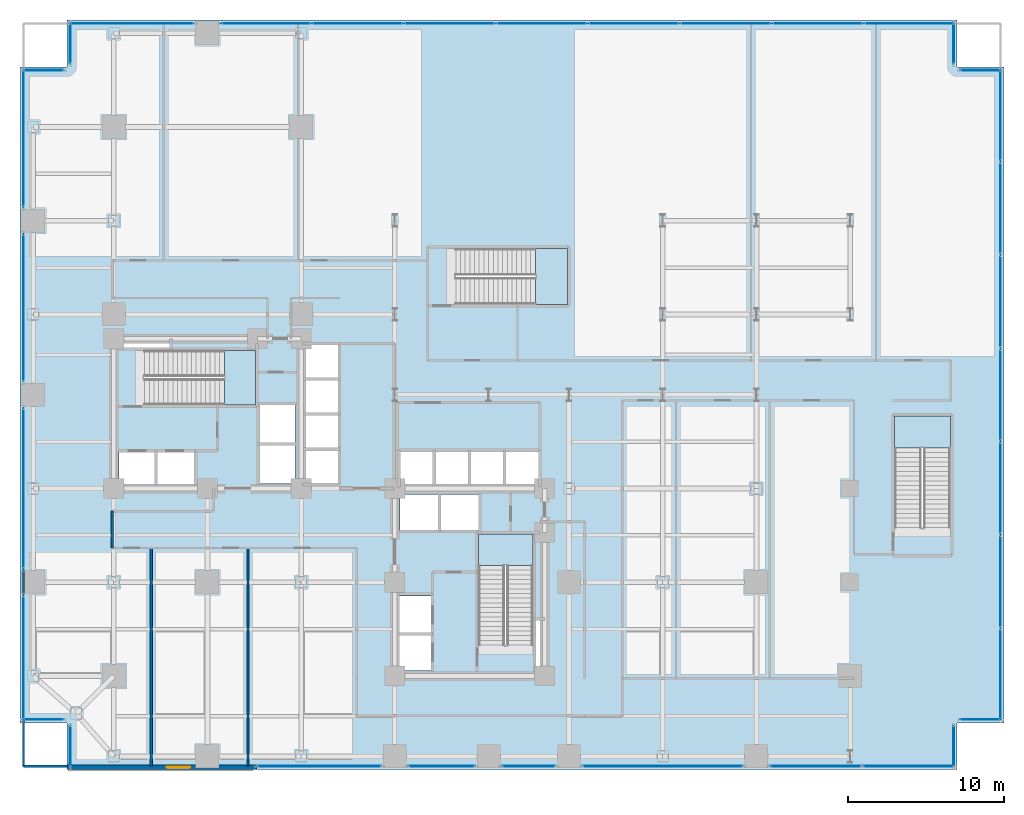
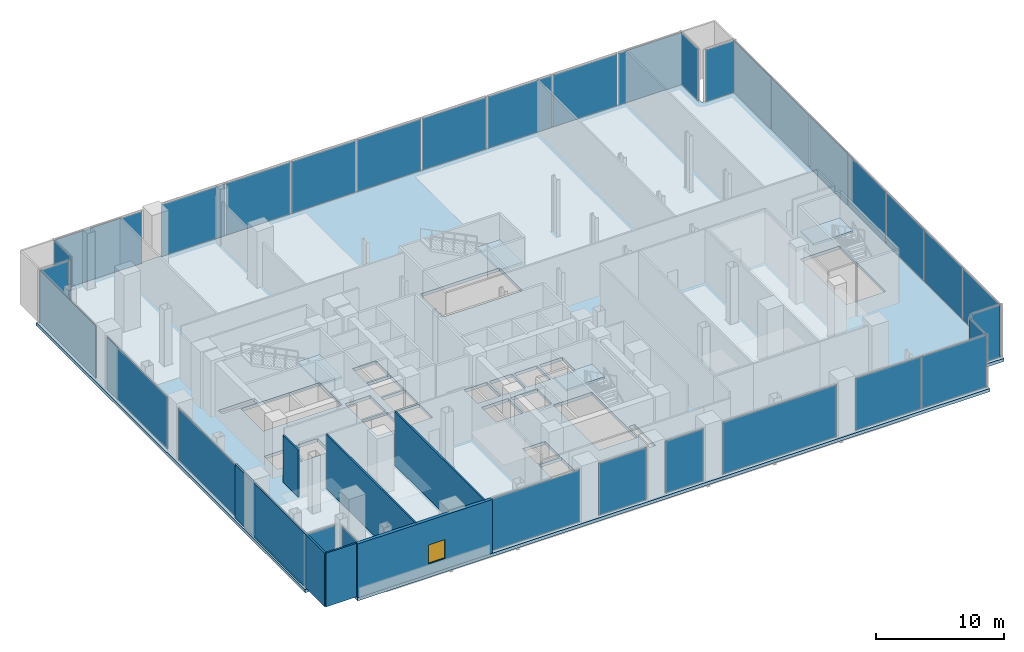
# One storey, part 20 of 27: 34 plates, 6 walls, 5 slabs, 1 window, 1 opening, 24 elements without a shape of their own.
"""IFC4 building model written with IfcOpenShell, lengths in metres."""

from ifc_helpers import new_model, si_unit, direction, frame, frame_2d, origin, origin_2d, place, context, subcontext, project, spatial, polyline, rectangle, outline, extrude, material, layer, layer_set, type_object, element, fill, aggregate, save


model = new_model("IFC4")

# Units and contexts
model_context = context("Model", 3, precision=1e-05, world=origin(), true_north=direction((0.0, 1.0)))
body_context = subcontext(model_context, "Body", "Model", "MODEL_VIEW")
ifc_project = project(units=[si_unit("LENGTHUNIT", "METRE"), si_unit("AREAUNIT", "SQUARE_METRE"), si_unit("VOLUMEUNIT", "CUBIC_METRE"), si_unit("PLANEANGLEUNIT", "RADIAN"), si_unit("MASSUNIT", "GRAM", prefix="KILO"), si_unit("THERMODYNAMICTEMPERATUREUNIT", "KELVIN"), si_unit("POWERUNIT", "WATT")], contexts=[model_context])

# Site, building, storey
site_placement = place(None, origin())
site = spatial("IfcSite", under=ifc_project, at=site_placement, CompositionType="ELEMENT")
building_placement = place(site_placement, origin())
building = spatial("IfcBuilding", under=site, at=building_placement, Name="Svarakhadi Broadcast Tower", CompositionType="ELEMENT")
storey_placement = place(building_placement, frame((0.0, 0.0, 16.5)))
storey = spatial("IfcBuildingStorey", under=building, at=storey_placement, Name="L03", CompositionType="ELEMENT", Elevation=16.5)

# Curtain wall, plate
ifc_material_1 = material(Name="Anodised Bronze Aluminium AA 6063-T6", Category="aluminium")
ifc_layer_1 = layer(ifc_material_1, 0.25)
ifc_layer_set_1 = layer_set([ifc_layer_1], Name="Anodised Bronze Aluminium AA 6063-T6")
curtain_wall_type = type_object("IfcCurtainWallType", Name="CW_Sys_01", PredefinedType="NOTDEFINED", material=ifc_layer_set_1)
curtain_wall_1_placement = place(storey_placement, origin())
curtain_wall_1 = element("IfcCurtainWall", 1, at=curtain_wall_1_placement, inside=storey, type_object=curtain_wall_type, Name="L03 Unitised Facade Curtain Wall 01", PredefinedType="NOTDEFINED")
ifc_material_2 = material(Name="Double Low-E Laminated Acoustic Glass IGU 36 mm", Category="glass")
ifc_layer_2 = layer(ifc_material_2, 0.0380859375)
ifc_layer_set_2 = layer_set([ifc_layer_2], Name="Double Low-E Laminated Acoustic Glass IGU 36 mm")
plate_type = type_object("IfcPlateType", Name="CW_Sys_01_Pnl", PredefinedType="CURTAIN_PANEL", material=ifc_layer_set_2)
plate_1_placement = place(storey_placement, frame((1.5, 3.219970703125, 0.0849609375), z_axis=(0.0, 0.0, 1.0), x_axis=(-1.0, 0.0, 0.0)))
plate_1 = element("IfcPlate", 2, at=plate_1_placement, type_object=plate_type, Name="CW-01 panel 1.1", PredefinedType="CURTAIN_PANEL", context=body_context, shape_type="SweptSolid", body=[
    extrude(rectangle(XDim=2.6298828125, YDim=0.0380859375, at=origin_2d()), origin(), (0.0, 0.0, 1.0), 4.955078125),
])
aggregate(curtain_wall_1, [plate_1])

curtain_wall_2_placement = place(storey_placement, origin())
curtain_wall_2 = element("IfcCurtainWall", 3, at=curtain_wall_2_placement, inside=storey, type_object=curtain_wall_type, Name="L03 Unitised Facade Curtain Wall 02 Bay 1", PredefinedType="NOTDEFINED")
plate_2_placement = place(storey_placement, frame((0.219970703125, 7.159912109375, 0.0849609375), z_axis=(0.0, 0.0, 1.0), x_axis=(0.0, 1.0, 0.0)))
plate_2 = element("IfcPlate", 4, at=plate_2_placement, type_object=plate_type, Name="CW-01 panel 1.1", PredefinedType="CURTAIN_PANEL", context=body_context, shape_type="SweptSolid", body=[
    extrude(rectangle(XDim=7.949951171875, YDim=0.0380859375, at=origin_2d()), origin(), (0.0, 0.0, 1.0), 4.955078125),
])
aggregate(curtain_wall_2, [plate_2])

curtain_wall_3_placement = place(storey_placement, origin())
curtain_wall_3 = element("IfcCurtainWall", 5, at=curtain_wall_3_placement, inside=storey, type_object=curtain_wall_type, Name="L03 Unitised Facade Curtain Wall 02 Bay 2", PredefinedType="NOTDEFINED")
plate_3_placement = place(storey_placement, frame((0.219970703125, 18.0, 0.0849609375), z_axis=(0.0, 0.0, 1.0), x_axis=(0.0, 1.0, 0.0)))
plate_3 = element("IfcPlate", 6, at=plate_3_placement, type_object=plate_type, Name="CW-01 panel 1.1", PredefinedType="CURTAIN_PANEL", context=body_context, shape_type="SweptSolid", body=[
    extrude(rectangle(XDim=10.27001953125, YDim=0.0380859375, at=origin_2d()), origin(), (0.0, 0.0, 1.0), 4.955078125),
])
aggregate(curtain_wall_3, [plate_3])

curtain_wall_4_placement = place(storey_placement, origin())
curtain_wall_4 = element("IfcCurtainWall", 7, at=curtain_wall_4_placement, inside=storey, type_object=curtain_wall_type, Name="L03 Unitised Facade Curtain Wall 02 Bay 3", PredefinedType="NOTDEFINED")
plate_4_placement = place(storey_placement, frame((0.219970703125, 29.574951171875, 0.0849609375), z_axis=(0.0, 0.0, 1.0), x_axis=(0.0, 1.0, 0.0)))
plate_4 = element("IfcPlate", 8, at=plate_4_placement, type_object=plate_type, Name="CW-01 panel 1.1", PredefinedType="CURTAIN_PANEL", context=body_context, shape_type="SweptSolid", body=[
    extrude(rectangle(XDim=9.419921875, YDim=0.0380859375, at=origin_2d()), origin(), (0.0, 0.0, 1.0), 4.955078125),
])
aggregate(curtain_wall_4, [plate_4])

curtain_wall_5_placement = place(storey_placement, origin())
curtain_wall_5 = element("IfcCurtainWall", 9, at=curtain_wall_5_placement, inside=storey, type_object=curtain_wall_type, Name="L03 Unitised Facade Curtain Wall 02 Bay 4", PredefinedType="NOTDEFINED")
plate_5_placement = place(storey_placement, frame((0.219970703125, 40.4150390625, 0.0849609375), z_axis=(0.0, 0.0, 1.0), x_axis=(0.0, 1.0, 0.0)))
plate_5 = element("IfcPlate", 10, at=plate_5_placement, type_object=plate_type, Name="CW-01 panel 1.1", PredefinedType="CURTAIN_PANEL", context=body_context, shape_type="SweptSolid", body=[
    extrude(rectangle(XDim=8.800048828125, YDim=0.0380859375, at=origin_2d()), origin(), (0.0, 0.0, 1.0), 4.955078125),
])
aggregate(curtain_wall_5, [plate_5])

curtain_wall_6_placement = place(storey_placement, origin())
curtain_wall_6 = element("IfcCurtainWall", 11, at=curtain_wall_6_placement, inside=storey, type_object=curtain_wall_type, Name="L03 Unitised Facade Curtain Wall 03", PredefinedType="NOTDEFINED")
plate_6_placement = place(storey_placement, frame((1.5, 44.780029296875, 0.0849609375), z_axis=(0.0, 0.0, 1.0), x_axis=(1.0, 0.0, 0.0)))
plate_6 = element("IfcPlate", 12, at=plate_6_placement, type_object=plate_type, Name="CW-01 panel 1.1", PredefinedType="CURTAIN_PANEL", context=body_context, shape_type="SweptSolid", body=[
    extrude(rectangle(XDim=2.6298828125, YDim=0.0380859375, at=origin_2d()), origin(), (0.0, 0.0, 1.0), 4.955078125),
])
aggregate(curtain_wall_6, [plate_6])

curtain_wall_7_placement = place(storey_placement, origin())
curtain_wall_7 = element("IfcCurtainWall", 13, at=curtain_wall_7_placement, inside=storey, type_object=curtain_wall_type, Name="L03 Unitised Facade Curtain Wall 04", PredefinedType="NOTDEFINED")
plate_7_placement = place(storey_placement, frame((3.219970703125, 46.5, 0.0849609375), z_axis=(0.0, 0.0, 1.0), x_axis=(0.0, 1.0, 0.0)))
plate_7 = element("IfcPlate", 14, at=plate_7_placement, type_object=plate_type, Name="CW-01 panel 1.1", PredefinedType="CURTAIN_PANEL", context=body_context, shape_type="SweptSolid", body=[
    extrude(rectangle(XDim=2.6298828125, YDim=0.0380859375, at=origin_2d()), origin(), (0.0, 0.0, 1.0), 4.955078125),
])
aggregate(curtain_wall_7, [plate_7])

curtain_wall_8_placement = place(storey_placement, origin())
curtain_wall_8 = element("IfcCurtainWall", 15, at=curtain_wall_8_placement, inside=storey, type_object=curtain_wall_type, Name="L03 Unitised Facade Curtain Wall 05 Bay 1", PredefinedType="NOTDEFINED")
plate_8_placement = place(storey_placement, frame((7.159912109375, 47.780029296875, 0.0849609375), z_axis=(0.0, 0.0, 1.0), x_axis=(1.0, 0.0, 0.0)))
plate_8 = element("IfcPlate", 16, at=plate_8_placement, type_object=plate_type, Name="CW-01 panel 1.1", PredefinedType="CURTAIN_PANEL", context=body_context, shape_type="SweptSolid", body=[
    extrude(rectangle(XDim=7.949951171875, YDim=0.0380859375, at=origin_2d()), origin(), (0.0, 0.0, 1.0), 4.955078125),
])
aggregate(curtain_wall_8, [plate_8])

# Curtain wall, plates
curtain_wall_9_placement = place(storey_placement, origin())
curtain_wall_9 = element("IfcCurtainWall", 17, at=curtain_wall_9_placement, inside=storey, type_object=curtain_wall_type, Name="L03 Unitised Facade Curtain Wall 05 Bay 2", PredefinedType="NOTDEFINED")
plate_9_placement = place(storey_placement, frame((15.739990234375, 47.780029296875, 0.0849609375), z_axis=(0.0, 0.0, 1.0), x_axis=(1.0, 0.0, 0.0)))
plate_9 = element("IfcPlate", 18, at=plate_9_placement, type_object=plate_type, Name="CW-01 panel 1.1", PredefinedType="CURTAIN_PANEL", context=body_context, shape_type="SweptSolid", body=[
    extrude(rectangle(XDim=5.75, YDim=0.0380859375, at=origin_2d()), origin(), (0.0, 0.0, 1.0), 4.955078125),
])
plate_10_placement = place(storey_placement, frame((21.608642578125, 47.780029296875, 0.0849609375), z_axis=(0.0, 0.0, 1.0), x_axis=(1.0, 0.0, 0.0)))
plate_10 = element("IfcPlate", 19, at=plate_10_placement, type_object=plate_type, Name="CW-01 panel 2.1", PredefinedType="CURTAIN_PANEL", context=body_context, shape_type="SweptSolid", body=[
    extrude(rectangle(XDim=5.797607421875, YDim=0.0380859375, at=origin_2d()), origin(), (0.0, 0.0, 1.0), 4.955078125),
])
plate_11_placement = place(storey_placement, frame((27.501220703125, 47.780029296875, 0.0849609375), z_axis=(0.0, 0.0, 1.0), x_axis=(1.0, 0.0, 0.0)))
plate_11 = element("IfcPlate", 20, at=plate_11_placement, type_object=plate_type, Name="CW-01 panel 3.1", PredefinedType="CURTAIN_PANEL", context=body_context, shape_type="SweptSolid", body=[
    extrude(rectangle(XDim=5.797607421875, YDim=0.0380859375, at=origin_2d()), origin(), (0.0, 0.0, 1.0), 4.955078125),
])
plate_12_placement = place(storey_placement, frame((33.393798828125, 47.780029296875, 0.0849609375), z_axis=(0.0, 0.0, 1.0), x_axis=(1.0, 0.0, 0.0)))
plate_12 = element("IfcPlate", 21, at=plate_12_placement, type_object=plate_type, Name="CW-01 panel 4.1", PredefinedType="CURTAIN_PANEL", context=body_context, shape_type="SweptSolid", body=[
    extrude(rectangle(XDim=5.797607421875, YDim=0.0380859375, at=origin_2d()), origin(), (0.0, 0.0, 1.0), 4.955078125),
])
plate_13_placement = place(storey_placement, frame((39.2861328125, 47.780029296875, 0.0849609375), z_axis=(0.0, 0.0, 1.0), x_axis=(1.0, 0.0, 0.0)))
plate_13 = element("IfcPlate", 22, at=plate_13_placement, type_object=plate_type, Name="CW-01 panel 5.1", PredefinedType="CURTAIN_PANEL", context=body_context, shape_type="SweptSolid", body=[
    extrude(rectangle(XDim=5.797607421875, YDim=0.0380859375, at=origin_2d()), origin(), (0.0, 0.0, 1.0), 4.955078125),
])
plate_14_placement = place(storey_placement, frame((45.1787109375, 47.780029296875, 0.0849609375), z_axis=(0.0, 0.0, 1.0), x_axis=(1.0, 0.0, 0.0)))
plate_14 = element("IfcPlate", 23, at=plate_14_placement, type_object=plate_type, Name="CW-01 panel 6.1", PredefinedType="CURTAIN_PANEL", context=body_context, shape_type="SweptSolid", body=[
    extrude(rectangle(XDim=5.797607421875, YDim=0.0380859375, at=origin_2d()), origin(), (0.0, 0.0, 1.0), 4.955078125),
])
plate_15_placement = place(storey_placement, frame((51.0712890625, 47.780029296875, 0.0849609375), z_axis=(0.0, 0.0, 1.0), x_axis=(1.0, 0.0, 0.0)))
plate_15 = element("IfcPlate", 24, at=plate_15_placement, type_object=plate_type, Name="CW-01 panel 7.1", PredefinedType="CURTAIN_PANEL", context=body_context, shape_type="SweptSolid", body=[
    extrude(rectangle(XDim=5.797607421875, YDim=0.0380859375, at=origin_2d()), origin(), (0.0, 0.0, 1.0), 4.955078125),
])
plate_16_placement = place(storey_placement, frame((56.93994140625, 47.780029296875, 0.0849609375), z_axis=(0.0, 0.0, 1.0), x_axis=(1.0, 0.0, 0.0)))
plate_16 = element("IfcPlate", 25, at=plate_16_placement, type_object=plate_type, Name="CW-01 panel 8.1", PredefinedType="CURTAIN_PANEL", context=body_context, shape_type="SweptSolid", body=[
    extrude(rectangle(XDim=5.75, YDim=0.0380859375, at=origin_2d()), origin(), (0.0, 0.0, 1.0), 4.955078125),
])
aggregate(curtain_wall_9, [plate_9, plate_10, plate_11, plate_12, plate_13, plate_14, plate_15, plate_16])

# Curtain wall, plate
curtain_wall_10_placement = place(storey_placement, origin())
curtain_wall_10 = element("IfcCurtainWall", 26, at=curtain_wall_10_placement, inside=storey, type_object=curtain_wall_type, Name="L03 Unitised Facade Curtain Wall 06", PredefinedType="NOTDEFINED")
plate_17_placement = place(storey_placement, frame((59.780029296875, 46.5, 0.0849609375), z_axis=(0.0, 0.0, 1.0), x_axis=(0.0, -1.0, 0.0)))
plate_17 = element("IfcPlate", 27, at=plate_17_placement, type_object=plate_type, Name="CW-01 panel 1.1", PredefinedType="CURTAIN_PANEL", context=body_context, shape_type="SweptSolid", body=[
    extrude(rectangle(XDim=2.6298828125, YDim=0.0380859375, at=origin_2d()), origin(), (0.0, 0.0, 1.0), 4.955078125),
])
aggregate(curtain_wall_10, [plate_17])

curtain_wall_11_placement = place(storey_placement, origin())
curtain_wall_11 = element("IfcCurtainWall", 28, at=curtain_wall_11_placement, inside=storey, type_object=curtain_wall_type, Name="L03 Unitised Facade Curtain Wall 07", PredefinedType="NOTDEFINED")
plate_18_placement = place(storey_placement, frame((61.5, 44.780029296875, 0.0849609375), z_axis=(0.0, 0.0, 1.0), x_axis=(1.0, 0.0, 0.0)))
plate_18 = element("IfcPlate", 29, at=plate_18_placement, type_object=plate_type, Name="CW-01 panel 1.1", PredefinedType="CURTAIN_PANEL", context=body_context, shape_type="SweptSolid", body=[
    extrude(rectangle(XDim=2.6298828125, YDim=0.0380859375, at=origin_2d()), origin(), (0.0, 0.0, 1.0), 4.955078125),
])
aggregate(curtain_wall_11, [plate_18])

# Curtain wall, plates
curtain_wall_12_placement = place(storey_placement, origin())
curtain_wall_12 = element("IfcCurtainWall", 30, at=curtain_wall_12_placement, inside=storey, type_object=curtain_wall_type, Name="L03 Unitised Facade Curtain Wall 08", PredefinedType="NOTDEFINED")
plate_19_placement = place(storey_placement, frame((62.780029296875, 41.899169921875, 0.0849609375), z_axis=(0.0, 0.0, 1.0), x_axis=(0.0, -1.0, 0.0)))
plate_19 = element("IfcPlate", 31, at=plate_19_placement, type_object=plate_type, Name="CW-01 panel 1.1", PredefinedType="CURTAIN_PANEL", context=body_context, shape_type="SweptSolid", body=[
    extrude(rectangle(XDim=5.831787109375, YDim=0.0380859375, at=origin_2d()), origin(), (0.0, 0.0, 1.0), 4.955078125),
])
plate_20_placement = place(storey_placement, frame((62.780029296875, 35.948486328125, 0.0849609375), z_axis=(0.0, 0.0, 1.0), x_axis=(0.0, -1.0, 0.0)))
plate_20 = element("IfcPlate", 32, at=plate_20_placement, type_object=plate_type, Name="CW-01 panel 2.1", PredefinedType="CURTAIN_PANEL", context=body_context, shape_type="SweptSolid", body=[
    extrude(rectangle(XDim=5.87939453125, YDim=0.0380859375, at=origin_2d()), origin(), (0.0, 0.0, 1.0), 4.955078125),
])
plate_21_placement = place(storey_placement, frame((62.780029296875, 29.974365234375, 0.0849609375), z_axis=(0.0, 0.0, 1.0), x_axis=(0.0, -1.0, 0.0)))
plate_21 = element("IfcPlate", 33, at=plate_21_placement, type_object=plate_type, Name="CW-01 panel 3.1", PredefinedType="CURTAIN_PANEL", context=body_context, shape_type="SweptSolid", body=[
    extrude(rectangle(XDim=5.87939453125, YDim=0.0380859375, at=origin_2d()), origin(), (0.0, 0.0, 1.0), 4.955078125),
])
plate_22_placement = place(storey_placement, frame((62.780029296875, 24.0, 0.0849609375), z_axis=(0.0, 0.0, 1.0), x_axis=(0.0, -1.0, 0.0)))
plate_22 = element("IfcPlate", 34, at=plate_22_placement, type_object=plate_type, Name="CW-01 panel 4.1", PredefinedType="CURTAIN_PANEL", context=body_context, shape_type="SweptSolid", body=[
    extrude(rectangle(XDim=5.87939453125, YDim=0.0380859375, at=origin_2d()), origin(), (0.0, 0.0, 1.0), 4.955078125),
])
plate_23_placement = place(storey_placement, frame((62.780029296875, 18.025634765625, 0.0849609375), z_axis=(0.0, 0.0, 1.0), x_axis=(0.0, -1.0, 0.0)))
plate_23 = element("IfcPlate", 35, at=plate_23_placement, type_object=plate_type, Name="CW-01 panel 5.1", PredefinedType="CURTAIN_PANEL", context=body_context, shape_type="SweptSolid", body=[
    extrude(rectangle(XDim=5.87939453125, YDim=0.0380859375, at=origin_2d()), origin(), (0.0, 0.0, 1.0), 4.955078125),
])
plate_24_placement = place(storey_placement, frame((62.780029296875, 12.051513671875, 0.0849609375), z_axis=(0.0, 0.0, 1.0), x_axis=(0.0, -1.0, 0.0)))
plate_24 = element("IfcPlate", 36, at=plate_24_placement, type_object=plate_type, Name="CW-01 panel 6.1", PredefinedType="CURTAIN_PANEL", context=body_context, shape_type="SweptSolid", body=[
    extrude(rectangle(XDim=5.87939453125, YDim=0.0380859375, at=origin_2d()), origin(), (0.0, 0.0, 1.0), 4.955078125),
])
plate_25_placement = place(storey_placement, frame((62.780029296875, 6.100830078125, 0.0849609375), z_axis=(0.0, 0.0, 1.0), x_axis=(0.0, -1.0, 0.0)))
plate_25 = element("IfcPlate", 37, at=plate_25_placement, type_object=plate_type, Name="CW-01 panel 7.1", PredefinedType="CURTAIN_PANEL", context=body_context, shape_type="SweptSolid", body=[
    extrude(rectangle(XDim=5.831787109375, YDim=0.0380859375, at=origin_2d()), origin(), (0.0, 0.0, 1.0), 4.955078125),
])
aggregate(curtain_wall_12, [plate_19, plate_20, plate_21, plate_22, plate_23, plate_24, plate_25])

# Curtain wall, plate
curtain_wall_13_placement = place(storey_placement, origin())
curtain_wall_13 = element("IfcCurtainWall", 38, at=curtain_wall_13_placement, inside=storey, type_object=curtain_wall_type, Name="L03 Unitised Facade Curtain Wall 09", PredefinedType="NOTDEFINED")
plate_26_placement = place(storey_placement, frame((61.5, 3.219970703125, 0.0849609375), z_axis=(0.0, 0.0, 1.0), x_axis=(-1.0, 0.0, 0.0)))
plate_26 = element("IfcPlate", 39, at=plate_26_placement, type_object=plate_type, Name="CW-01 panel 1.1", PredefinedType="CURTAIN_PANEL", context=body_context, shape_type="SweptSolid", body=[
    extrude(rectangle(XDim=2.6298828125, YDim=0.0380859375, at=origin_2d()), origin(), (0.0, 0.0, 1.0), 4.955078125),
])
aggregate(curtain_wall_13, [plate_26])

curtain_wall_14_placement = place(storey_placement, origin())
curtain_wall_14 = element("IfcCurtainWall", 40, at=curtain_wall_14_placement, inside=storey, type_object=curtain_wall_type, Name="L03 Unitised Facade Curtain Wall 10", PredefinedType="NOTDEFINED")
plate_27_placement = place(storey_placement, frame((59.780029296875, 1.5, 0.0849609375), z_axis=(0.0, 0.0, 1.0), x_axis=(0.0, -1.0, 0.0)))
plate_27 = element("IfcPlate", 41, at=plate_27_placement, type_object=plate_type, Name="CW-01 panel 1.1", PredefinedType="CURTAIN_PANEL", context=body_context, shape_type="SweptSolid", body=[
    extrude(rectangle(XDim=2.6298828125, YDim=0.0380859375, at=origin_2d()), origin(), (0.0, 0.0, 1.0), 4.955078125),
])
aggregate(curtain_wall_14, [plate_27])

# Curtain wall, plates
curtain_wall_15_placement = place(storey_placement, origin())
curtain_wall_15 = element("IfcCurtainWall", 42, at=curtain_wall_15_placement, inside=storey, type_object=curtain_wall_type, Name="L03 South Curtain Wall 11 Bay 1", PredefinedType="NOTDEFINED")
plate_28_placement = place(storey_placement, frame((56.888671875, 0.219970703125, 0.0849609375), z_axis=(0.0, 0.0, 1.0), x_axis=(-1.0, 0.0, 0.0)))
plate_28 = element("IfcPlate", 43, at=plate_28_placement, type_object=plate_type, Name="CW-01 panel 1.1", PredefinedType="CURTAIN_PANEL", context=body_context, shape_type="SweptSolid", body=[
    extrude(rectangle(XDim=5.8525390625, YDim=0.0380859375, at=origin_2d()), origin(), (0.0, 0.0, 1.0), 4.955078125),
])
plate_29_placement = place(storey_placement, frame((50.941162109375, 0.219970703125, 0.0849609375), z_axis=(0.0, 0.0, 1.0), x_axis=(-1.0, 0.0, 0.0)))
plate_29 = element("IfcPlate", 44, at=plate_29_placement, type_object=plate_type, Name="CW-01 panel 2.1", PredefinedType="CURTAIN_PANEL", context=body_context, shape_type="SweptSolid", body=[
    extrude(rectangle(XDim=5.8525390625, YDim=0.0380859375, at=origin_2d()), origin(), (0.0, 0.0, 1.0), 4.955078125),
])
aggregate(curtain_wall_15, [plate_28, plate_29])

# Curtain wall, plate
curtain_wall_16_placement = place(storey_placement, origin())
curtain_wall_16 = element("IfcCurtainWall", 45, at=curtain_wall_16_placement, inside=storey, type_object=curtain_wall_type, Name="L03 South Curtain Wall 11 Bay 2", PredefinedType="NOTDEFINED")
plate_30_placement = place(storey_placement, frame((41.14990234375, 0.219970703125, 0.0849609375), z_axis=(0.0, 0.0, 1.0), x_axis=(-1.0, 0.0, 0.0)))
plate_30 = element("IfcPlate", 46, at=plate_30_placement, type_object=plate_type, Name="CW-01 panel 1.1", PredefinedType="CURTAIN_PANEL", context=body_context, shape_type="SweptSolid", body=[
    extrude(rectangle(XDim=10.27001953125, YDim=0.0380859375, at=origin_2d()), origin(), (0.0, 0.0, 1.0), 4.955078125),
])
aggregate(curtain_wall_16, [plate_30])

curtain_wall_17_placement = place(storey_placement, origin())
curtain_wall_17 = element("IfcCurtainWall", 47, at=curtain_wall_17_placement, inside=storey, type_object=curtain_wall_type, Name="L03 South Curtain Wall 11 Bay 3", PredefinedType="NOTDEFINED")
plate_31_placement = place(storey_placement, frame((32.574951171875, 0.219970703125, 0.0849609375), z_axis=(0.0, 0.0, 1.0), x_axis=(-1.0, 0.0, 0.0)))
plate_31 = element("IfcPlate", 48, at=plate_31_placement, type_object=plate_type, Name="CW-01 panel 1.1", PredefinedType="CURTAIN_PANEL", context=body_context, shape_type="SweptSolid", body=[
    extrude(rectangle(XDim=3.419921875, YDim=0.0380859375, at=origin_2d()), origin(), (0.0, 0.0, 1.0), 4.955078125),
])
aggregate(curtain_wall_17, [plate_31])

curtain_wall_18_placement = place(storey_placement, origin())
curtain_wall_18 = element("IfcCurtainWall", 49, at=curtain_wall_18_placement, inside=storey, type_object=curtain_wall_type, Name="L03 South Curtain Wall 11 Bay 4", PredefinedType="NOTDEFINED")
plate_32_placement = place(storey_placement, frame((27.0, 0.219970703125, 0.0849609375), z_axis=(0.0, 0.0, 1.0), x_axis=(-1.0, 0.0, 0.0)))
plate_32 = element("IfcPlate", 50, at=plate_32_placement, type_object=plate_type, Name="CW-01 panel 1.1", PredefinedType="CURTAIN_PANEL", context=body_context, shape_type="SweptSolid", body=[
    extrude(rectangle(XDim=4.27001953125, YDim=0.0380859375, at=origin_2d()), origin(), (0.0, 0.0, 1.0), 4.955078125),
])
aggregate(curtain_wall_18, [plate_32])

curtain_wall_19_placement = place(storey_placement, origin())
curtain_wall_19 = element("IfcCurtainWall", 51, at=curtain_wall_19_placement, inside=storey, type_object=curtain_wall_type, Name="L03 South Curtain Wall 11 Bay 5", PredefinedType="NOTDEFINED")
plate_33_placement = place(storey_placement, frame((19.159912109375, 0.219970703125, 0.0849609375), z_axis=(0.0, 0.0, 1.0), x_axis=(-1.0, 0.0, 0.0)))
plate_33 = element("IfcPlate", 52, at=plate_33_placement, type_object=plate_type, Name="CW-01 panel 1.1", PredefinedType="CURTAIN_PANEL", context=body_context, shape_type="SweptSolid", body=[
    extrude(rectangle(XDim=7.949951171875, YDim=0.0380859375, at=origin_2d()), origin(), (0.0, 0.0, 1.0), 4.955078125),
])
aggregate(curtain_wall_19, [plate_33])

curtain_wall_20_placement = place(storey_placement, origin())
curtain_wall_20 = element("IfcCurtainWall", 53, at=curtain_wall_20_placement, inside=storey, type_object=curtain_wall_type, Name="L03 Unitised Facade Curtain Wall 12", PredefinedType="NOTDEFINED")
plate_34_placement = place(storey_placement, frame((3.219970703125, 1.5, 0.0849609375), z_axis=(0.0, 0.0, 1.0), x_axis=(0.0, 1.0, 0.0)))
plate_34 = element("IfcPlate", 54, at=plate_34_placement, type_object=plate_type, Name="CW-01 panel 1.1", PredefinedType="CURTAIN_PANEL", context=body_context, shape_type="SweptSolid", body=[
    extrude(rectangle(XDim=2.6298828125, YDim=0.0380859375, at=origin_2d()), origin(), (0.0, 0.0, 1.0), 4.955078125),
])
aggregate(curtain_wall_20, [plate_34])

# Slab
ifc_material_3 = material(Name="Concrete C40/50 (IS 456 M50)", Category="concrete")
ifc_layer_3 = layer(ifc_material_3, 0.300048828125)
ifc_layer_set_3 = layer_set([ifc_layer_3], Name="Concrete C40/50 (IS 456 M50)")
slab_type_1 = type_object("IfcSlabType", Name="Slab_Floor_300", PredefinedType="FLOOR", material=ifc_layer_set_3)
slab_1_placement = place(storey_placement, frame((0.0, 0.0, -0.300048828125)))
element("IfcSlab", 55, at=slab_1_placement, inside=storey, type_object=slab_type_1, Name="L03 Structural Floor Slab", PredefinedType="FLOOR", context=body_context, shape_type="SweptSolid", body=[
    extrude(outline(polyline([(3.0, 0.0), (60.0, 0.0), (60.0, 3.0), (63.0, 3.0), (63.0, 45.0), (60.0, 45.0), (60.0, 48.0), (3.0, 48.0), (3.0, 45.0), (0.0, 45.0), (0.0, 3.0), (3.0, 3.0), (3.0, 0.0)]), holes=[polyline([(7.97998046875, 23.360107421875), (15.080078125, 23.360107421875), (15.080078125, 26.840087890625), (7.97998046875, 26.840087890625), (7.97998046875, 23.360107421875)]), polyline([(32.840087890625, 7.97998046875), (32.840087890625, 15.080078125), (29.360107421875, 15.080078125), (29.360107421875, 7.97998046875), (32.840087890625, 7.97998046875)]), polyline([(27.89990234375, 29.800048828125), (35.050048828125, 29.800048828125), (35.050048828125, 33.360107421875), (27.89990234375, 33.360107421875), (27.89990234375, 29.800048828125)]), polyline([(59.56005859375, 15.5), (59.56005859375, 22.64990234375), (56.0, 22.64990234375), (56.0, 15.5), (59.56005859375, 15.5)]), polyline([(6.340087890625, 18.2900390625), (8.610107421875, 18.2900390625), (8.610107421875, 20.330078125), (6.340087890625, 20.330078125), (6.340087890625, 18.2900390625)]), polyline([(8.7900390625, 18.2900390625), (11.1298828125, 18.2900390625), (11.1298828125, 20.330078125), (8.7900390625, 20.330078125), (8.7900390625, 18.2900390625)]), polyline([(24.2900390625, 6.340087890625), (26.330078125, 6.340087890625), (26.330078125, 8.610107421875), (24.2900390625, 8.610107421875), (24.2900390625, 6.340087890625)]), polyline([(24.2900390625, 8.7900390625), (26.330078125, 8.7900390625), (26.330078125, 11.1298828125), (24.2900390625, 11.1298828125), (24.2900390625, 8.7900390625)]), polyline([(6.340087890625, 26.989990234375), (9.610107421875, 26.989990234375), (9.610107421875, 27.530029296875), (6.340087890625, 27.530029296875), (6.340087890625, 26.989990234375)]), polyline([(32.989990234375, 6.340087890625), (33.530029296875, 6.340087890625), (33.530029296875, 9.610107421875), (32.989990234375, 9.610107421875), (32.989990234375, 6.340087890625)]), polyline([(15.340087890625, 18.340087890625), (17.610107421875, 18.340087890625), (17.610107421875, 20.760009765625), (15.340087890625, 20.760009765625), (15.340087890625, 18.340087890625)]), polyline([(15.340087890625, 20.93994140625), (17.610107421875, 20.93994140625), (17.610107421875, 23.360107421875), (15.340087890625, 23.360107421875), (15.340087890625, 20.93994140625)]), polyline([(24.340087890625, 15.340087890625), (26.760009765625, 15.340087890625), (26.760009765625, 17.610107421875), (24.340087890625, 17.610107421875), (24.340087890625, 15.340087890625)]), polyline([(26.93994140625, 15.340087890625), (29.360107421875, 15.340087890625), (29.360107421875, 17.610107421875), (26.93994140625, 17.610107421875), (26.93994140625, 15.340087890625)]), polyline([(18.239990234375, 18.340087890625), (20.360107421875, 18.340087890625), (20.360107421875, 20.429931640625), (18.239990234375, 20.429931640625), (18.239990234375, 18.340087890625)]), polyline([(18.239990234375, 20.610107421875), (20.360107421875, 20.610107421875), (20.360107421875, 22.679931640625), (18.239990234375, 22.679931640625), (18.239990234375, 20.610107421875)]), polyline([(18.239990234375, 22.860107421875), (20.360107421875, 22.860107421875), (20.360107421875, 24.929931640625), (18.239990234375, 24.929931640625), (18.239990234375, 22.860107421875)]), polyline([(18.239990234375, 25.110107421875), (20.360107421875, 25.110107421875), (20.360107421875, 27.2099609375), (18.239990234375, 27.2099609375), (18.239990234375, 25.110107421875)]), polyline([(24.340087890625, 18.239990234375), (26.429931640625, 18.239990234375), (26.429931640625, 20.360107421875), (24.340087890625, 20.360107421875), (24.340087890625, 18.239990234375)]), polyline([(26.610107421875, 18.239990234375), (28.679931640625, 18.239990234375), (28.679931640625, 20.360107421875), (26.610107421875, 20.360107421875), (26.610107421875, 18.239990234375)]), polyline([(28.860107421875, 18.239990234375), (30.929931640625, 18.239990234375), (30.929931640625, 20.360107421875), (28.860107421875, 20.360107421875), (28.860107421875, 18.239990234375)]), polyline([(31.110107421875, 18.239990234375), (33.2099609375, 18.239990234375), (33.2099609375, 20.360107421875), (31.110107421875, 20.360107421875), (31.110107421875, 18.239990234375)])]), origin(), (0.0, 0.0, 1.0), 0.300048828125),
])

# Stair, slab
stair_type_1 = type_object("IfcStairType", Name="Stair_Exit_Core", PredefinedType="HALF_TURN_STAIR", material=ifc_material_3)
stair_1_placement = place(storey_placement, origin())
stair_1 = element("IfcStair", 56, at=stair_1_placement, inside=storey, type_object=stair_type_1, Name="L03 West Core Protected Exit Stair ST-01", PredefinedType="HALF_TURN_STAIR")
ifc_layer_4 = layer(ifc_material_3, 0.199951171875)
ifc_layer_set_4 = layer_set([ifc_layer_4], Name="Concrete C40/50 (IS 456 M50)")
slab_type_2 = type_object("IfcSlabType", Name="Slab_Stair_Land", PredefinedType="LANDING", material=ifc_layer_set_4)
slab_2_placement = place(storey_placement, frame((0.0, 0.0, 2.5)))
slab_2 = element("IfcSlab", 57, at=slab_2_placement, type_object=slab_type_2, Name="ST-01 landing 1", PredefinedType="LANDING", context=body_context, shape_type="SweptSolid", body=[
    extrude(outline(polyline([(13.080078125, 23.360107421875), (15.080078125, 23.360107421875), (15.080078125, 26.840087890625), (13.080078125, 26.840087890625), (13.080078125, 23.360107421875)])), origin(), (0.0, 0.0, 1.0), 0.199951171875),
])
aggregate(stair_1, [slab_2])

stair_2_placement = place(storey_placement, origin())
stair_2 = element("IfcStair", 58, at=stair_2_placement, inside=storey, type_object=stair_type_1, Name="L03 East Core Protected Exit Stair ST-02", PredefinedType="HALF_TURN_STAIR")
slab_3_placement = place(storey_placement, frame((0.0, 0.0, 2.5)))
slab_3 = element("IfcSlab", 59, at=slab_3_placement, type_object=slab_type_2, Name="ST-02 landing 1", PredefinedType="LANDING", context=body_context, shape_type="SweptSolid", body=[
    extrude(outline(polyline([(32.840087890625, 13.080078125), (32.840087890625, 15.080078125), (29.360107421875, 15.080078125), (29.360107421875, 13.080078125), (32.840087890625, 13.080078125)])), origin(), (0.0, 0.0, 1.0), 0.199951171875),
])
aggregate(stair_2, [slab_3])

stair_type_2 = type_object("IfcStairType", Name="Stair_Exit_Pod", PredefinedType="HALF_TURN_STAIR", material=ifc_material_3)
stair_3_placement = place(storey_placement, origin())
stair_3 = element("IfcStair", 60, at=stair_3_placement, inside=storey, type_object=stair_type_2, Name="L03 Podium Concourse Broadcast Exit Stair ST-03", PredefinedType="HALF_TURN_STAIR")
slab_4_placement = place(storey_placement, frame((0.0, 0.0, 2.5)))
slab_4 = element("IfcSlab", 61, at=slab_4_placement, type_object=slab_type_2, Name="ST-03 landing 1", PredefinedType="LANDING", context=body_context, shape_type="SweptSolid", body=[
    extrude(outline(polyline([(33.0, 29.800048828125), (35.050048828125, 29.800048828125), (35.050048828125, 33.360107421875), (33.0, 33.360107421875), (33.0, 29.800048828125)])), origin(), (0.0, 0.0, 1.0), 0.199951171875),
])
aggregate(stair_3, [slab_4])

stair_4_placement = place(storey_placement, origin())
stair_4 = element("IfcStair", 62, at=stair_4_placement, inside=storey, type_object=stair_type_2, Name="L03 Podium East Broadcast Exit Stair ST-04", PredefinedType="HALF_TURN_STAIR")
slab_5_placement = place(storey_placement, frame((0.0, 0.0, 2.5)))
slab_5 = element("IfcSlab", 63, at=slab_5_placement, type_object=slab_type_2, Name="ST-04 landing 1", PredefinedType="LANDING", context=body_context, shape_type="SweptSolid", body=[
    extrude(outline(polyline([(59.56005859375, 20.60009765625), (59.56005859375, 22.64990234375), (56.0, 22.64990234375), (56.0, 20.60009765625), (59.56005859375, 20.60009765625)])), origin(), (0.0, 0.0, 1.0), 0.199951171875),
])
aggregate(stair_4, [slab_5])

# Wall, opening, window
ifc_layer_5 = layer(ifc_material_3, 0.300048828125)
ifc_layer_set_5 = layer_set([ifc_layer_5], Name="Concrete C40/50 (IS 456 M50)")
wall_type_1 = type_object("IfcWallType", Name="Wall_Ext_300", PredefinedType="SOLIDWALL", material=ifc_layer_set_5)
wall_1_placement = place(storey_placement, frame((15.14501953125, 0.14990234375, 0.0), z_axis=(0.0, 0.0, 1.0), x_axis=(-1.0, 0.0, 0.0)))
wall_1 = element("IfcWall", 64, at=wall_1_placement, inside=storey, type_object=wall_type_1, Name="L03 Broadcast Studio Acoustic Exterior Wall", PredefinedType="SOLIDWALL", context=body_context, shape_type="SweptSolid", body=[
    extrude(rectangle(XDim=12.14501953125, YDim=0.300048828125, at=frame_2d((6.072509765625, 0.0))), origin(), (0.0, 0.0, 1.0), 5.125),
])
opening_placement = place(wall_1_placement, frame((4.25, 0.0, 1.0)))
opening = element("IfcOpeningElement", 65, at=opening_placement, cuts=wall_1, Name="Opening WN-03", PredefinedType="OPENING", context=body_context, shape_type="SweptSolid", body=[
    extrude(rectangle(XDim=1.5, YDim=1.800048828125, at=frame_2d((0.75, 0.89990234375))), frame((0.0, 0.159912109375, 0.0), z_axis=(0.0, -1.0, 0.0), x_axis=(1.0, 0.0, 0.0)), (0.0, 0.0, 1.0), 0.320068359375),
])
window_type = type_object("IfcWindowType", Name="Win_Awning_WN03", PartitioningType="SINGLE_PANEL", PredefinedType="WINDOW", material=ifc_material_2)
window_placement = place(opening_placement, origin())
window = element("IfcWindow", 66, at=window_placement, inside=storey, type_object=window_type, Name="L03 Broadcast Podium Acoustic Window 1", OverallHeight=1.800048828125, OverallWidth=1.5, PartitioningType="SINGLE_PANEL", PredefinedType="WINDOW", context=body_context, shape_type="SweptSolid", body=[
    extrude(rectangle(XDim=1.5, YDim=1.800048828125, at=frame_2d((0.75, 0.89990234375))), frame((0.0, 0.030029296875, 0.0), z_axis=(0.0, -1.0, 0.0), x_axis=(1.0, 0.0, 0.0)), (0.0, 0.0, 1.0), 0.06005859375),
])
fill(opening, window)

# Walls
ifc_material_4 = material(Name="Autoclaved Aerated Concrete Blockwork 150 mm", Category="masonry")
ifc_layer_6 = layer(ifc_material_4, 0.14990234375)
ifc_layer_set_6 = layer_set([ifc_layer_6], Name="Autoclaved Aerated Concrete Blockwork 150 mm")
wall_type_2 = type_object("IfcWallType", Name="Wall_Part_150", PredefinedType="PARTITIONING", material=ifc_layer_set_6)
wall_2_placement = place(storey_placement, frame((5.89990234375, 14.199951171875, 0.0), z_axis=(0.0, 0.0, 1.0), x_axis=(0.0, 1.0, 0.0)))
element("IfcWall", 67, at=wall_2_placement, inside=storey, type_object=wall_type_2, Name="L03 Podium Gallery Wall", PredefinedType="PARTITIONING", context=body_context, shape_type="SweptSolid", body=[
    extrude(rectangle(XDim=2.35009765625, YDim=0.14990234375, at=frame_2d((1.175048828125, 0.0))), origin(), (0.0, 0.0, 1.0), 4.467041015625),
])
wall_3_placement = place(storey_placement, frame((0.219970703125, 0.219970703125, 0.0), z_axis=(0.0, 0.0, 1.0), x_axis=(1.0, 0.0, 0.0)))
element("IfcWall", 68, at=wall_3_placement, inside=storey, type_object=wall_type_2, Name="L03 L03 Master Control Broadcast Room Wall", PredefinedType="PARTITIONING", context=body_context, shape_type="SweptSolid", body=[
    extrude(rectangle(XDim=2.780029296875, YDim=0.14990234375, at=frame_2d((1.39013671875, 0.0))), origin(), (0.0, 0.0, 1.0), 5.125),
])
for number, where, z_axis, x_axis, name in (
    (69, (0.219970703125, 0.219970703125, 0.0), (0.0, 0.0, 1.0), (0.0, 1.0, 0.0), "L03 L03 Master Control Broadcast Room Wall"),
    (70, (8.39990234375, 0.219970703125, 0.0), (0.0, 0.0, 1.0), (0.0, 1.0, 0.0), "L03 L03 Master Control Broadcast Room Wall"),
    (71, (14.60009765625, 0.219970703125, 0.0), (0.0, 0.0, 1.0), (0.0, 1.0, 0.0), "L03 L03 Audio Post-Production Mixing Room Wall"),
):
    element("IfcWall", number, at=place(storey_placement, frame(where, z_axis=z_axis, x_axis=x_axis)), inside=storey, type_object=wall_type_2, Name=name, PredefinedType="PARTITIONING", context=body_context, shape_type="SweptSolid", body=[
        extrude(rectangle(XDim=13.97998046875, YDim=0.14990234375, at=frame_2d((6.989990234375, 0.0))), origin(), (0.0, 0.0, 1.0), 5.125),
    ])

save(model, "model.ifc")
